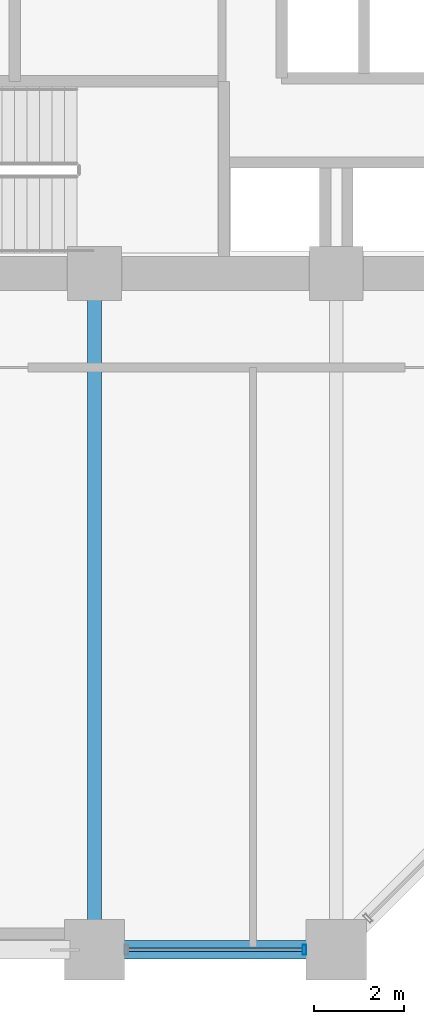
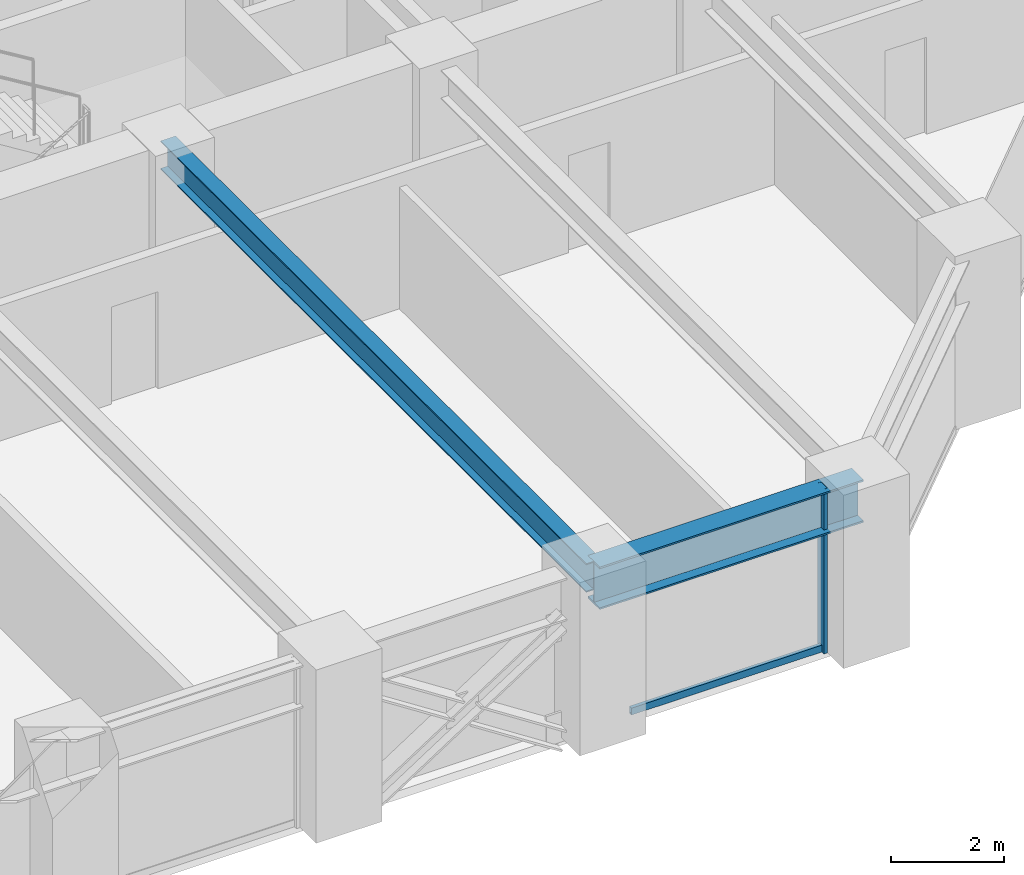
# One storey, part 5 of 25: 2 beams, 2 members, 1 element without a shape of its own.
"""IFC4 building model written with IfcOpenShell, lengths in metres."""

import ifcopenshell
import ifcopenshell.guid

model = None  # the IFC model being written
_history = None  # IfcOwnerHistory: only IFC2X3 demands one
_inside = {}  # id of a spatial element -> (the spatial element, [elements in it])
_under = {}  # id of a project, library or spatial element -> (it, [spatial elements below it])
_declared = {}  # id of a project -> (the project, [libraries it declares])
_typed = {}  # id of a type object -> (the type object, [elements of that type])
_made_of = {}  # id of a material, layer set ... -> (it, [elements and type objects made of it])


def new_model(schema):
    """Start an empty IFC model of exactly this schema.

    Asked for "IFC4X3", IfcOpenShell would pick the latest addendum, in which some entities
    have other attributes; the version numbers below select the first issue.
    IFC2X3 requires an IfcOwnerHistory on every rooted entity: one is made here for all.
    """
    global model, _history
    if schema == "IFC4X3":
        model = ifcopenshell.file(schema_version=(4, 3, 0, 0))
    else:
        model = ifcopenshell.file(schema=schema)
    _inside.clear()
    _under.clear()
    _declared.clear()
    _typed.clear()
    _made_of.clear()
    _history = None
    if model.schema == "IFC2X3":
        org = make("IfcOrganization", Name="unknown")
        user = make(
            "IfcPersonAndOrganization",
            ThePerson=make("IfcPerson", FamilyName="unknown"),
            TheOrganization=org,
        )
        app = make(
            "IfcApplication",
            ApplicationDeveloper=org,
            Version="unknown",
            ApplicationFullName="unknown",
            ApplicationIdentifier="unknown",
        )
        _history = make(
            "IfcOwnerHistory",
            OwningUser=user,
            OwningApplication=app,
            ChangeAction="ADDED",
            CreationDate=0,
        )
    return model


def make(cls, **values):
    """One entity of the class cls with the attributes given. An attribute that is None is left unset."""
    return model.create_entity(
        cls, **{name: value for name, value in values.items() if value is not None}
    )


def rooted(cls, **values):
    """An entity with a GlobalId (a new one), such as an element, a storey or a relation."""
    return make(cls, GlobalId=ifcopenshell.guid.new(), OwnerHistory=_history, **values)


def si_unit(unit_type, name, prefix=None):
    """IfcSIUnit, for example si_unit("LENGTHUNIT", "METRE", prefix="MILLI")."""
    return make("IfcSIUnit", UnitType=unit_type, Prefix=prefix, Name=name)


def assignment(units):
    """IfcUnitAssignment: the units of a project."""
    return None if units is None else make("IfcUnitAssignment", Units=units)


def point(xyz):
    """IfcCartesianPoint."""
    return None if xyz is None else make("IfcCartesianPoint", Coordinates=xyz)


def direction(xyz):
    """IfcDirection."""
    return None if xyz is None else make("IfcDirection", DirectionRatios=xyz)


def frame(location, z_axis=None, x_axis=None):
    """IfcAxis2Placement3D, a coordinate frame: its origin and axes. An axis left out is left unset."""
    return make(
        "IfcAxis2Placement3D",
        Location=point(location),
        Axis=direction(z_axis),
        RefDirection=direction(x_axis),
    )


def frame_2d(location, x_axis=None):
    """IfcAxis2Placement2D, a coordinate frame in the plane: its origin and x axis."""
    return make(
        "IfcAxis2Placement2D", Location=point(location), RefDirection=direction(x_axis)
    )


def origin():
    """The frame at (0, 0, 0) with its axes left unset."""
    return frame((0.0, 0.0, 0.0))


def origin_2d():
    """The frame at (0, 0) in the plane with its x axis left unset."""
    return frame_2d((0.0, 0.0))


def place(relative_to, where):
    """IfcLocalPlacement: puts the frame where relative to a parent placement (None: the world)."""
    return make(
        "IfcLocalPlacement", PlacementRelTo=relative_to, RelativePlacement=where
    )


def context(
    kind, dimensions, precision=None, world=None, true_north=None, identifier=None
):
    """IfcGeometricRepresentationContext, for example the 3D "Model" context."""
    return make(
        "IfcGeometricRepresentationContext",
        ContextIdentifier=identifier,
        ContextType=kind,
        CoordinateSpaceDimension=dimensions,
        Precision=precision,
        WorldCoordinateSystem=world,
        TrueNorth=true_north,
    )


def subcontext(parent, identifier, kind, view, scale=None):
    """IfcGeometricRepresentationSubContext, for example "Body" below "Model"."""
    return make(
        "IfcGeometricRepresentationSubContext",
        ContextIdentifier=identifier,
        ContextType=kind,
        ParentContext=parent,
        TargetScale=scale,
        TargetView=view,
    )


def project(units=None, contexts=None):
    """IfcProject with its units and contexts."""
    return rooted(
        "IfcProject",
        Name="project",
        RepresentationContexts=contexts,
        UnitsInContext=assignment(units),
    )


def spatial(cls, under=None, at=None, **own):
    """A site, building, storey or space (cls), placed at a placement, below another one or the project."""
    s = rooted(cls, ObjectPlacement=at, **own)
    if under is not None:
        _under.setdefault(under.id(), (under, []))[1].append(s)
    return s


def profile(cls, at=None, kind="AREA", **sizes):
    """A parametric profile (cls). Its sizes go by their IFC names, for example OverallWidth=200.0."""
    return make(cls, ProfileType=kind, Position=at, **sizes)


def hollow_rectangle(**sizes):
    """IfcRectangleHollowProfileDef."""
    return profile("IfcRectangleHollowProfileDef", **sizes)


def i_section(**sizes):
    """IfcIShapeProfileDef."""
    return profile("IfcIShapeProfileDef", **sizes)


def extrude(swept, where, along, depth):
    """IfcExtrudedAreaSolid: the profile swept, set in the frame where, extruded along a direction by depth."""
    return make(
        "IfcExtrudedAreaSolid",
        SweptArea=swept,
        Position=where,
        ExtrudedDirection=direction(along),
        Depth=depth,
    )


def shape(context_of_items, identifier, shape_type, items):
    """IfcShapeRepresentation: the items that make up one representation, for example the "Body"."""
    return make(
        "IfcShapeRepresentation",
        ContextOfItems=context_of_items,
        RepresentationIdentifier=identifier,
        RepresentationType=shape_type,
        Items=items,
    )


def material(Name=None, Category=None):
    """IfcMaterial."""
    return make("IfcMaterial", Name=Name, Category=Category)


def layer(
    of_material, thickness, ventilated=None, Name=None, Category=None, Priority=None
):
    """IfcMaterialLayer: one layer of a wall or slab, of a material (None: an air gap)."""
    return make(
        "IfcMaterialLayer",
        Material=of_material,
        LayerThickness=thickness,
        IsVentilated=ventilated,
        Name=Name,
        Category=Category,
        Priority=Priority,
    )


def layer_set(layers, Name=None):
    """IfcMaterialLayerSet."""
    return make("IfcMaterialLayerSet", MaterialLayers=layers, LayerSetName=Name)


def material_profile(
    of_material, cross_section, Name=None, Category=None, Priority=None
):
    """IfcMaterialProfile: a cross section and its material."""
    return make(
        "IfcMaterialProfile",
        Name=Name,
        Material=of_material,
        Profile=cross_section,
        Priority=Priority,
        Category=Category,
    )


def profile_set(profiles, Name=None, composite=None):
    """IfcMaterialProfileSet."""
    return make(
        "IfcMaterialProfileSet",
        Name=Name,
        MaterialProfiles=profiles,
        CompositeProfile=composite,
    )


def made_of(thing, what):
    """Note that an element or type object is made of a material, layer set ...; save() writes the relation."""
    if what is not None:
        _made_of.setdefault(what.id(), (what, []))[1].append(thing)
    return thing


def type_object(cls, material=None, **own):
    """A type object (cls), such as IfcWallType, which elements share."""
    return made_of(rooted(cls, **own), material)


def element(
    cls,
    number,
    at=None,
    inside=None,
    cuts=None,
    type_object=None,
    material=None,
    context=None,
    identifier="Body",
    shape_type=None,
    held_by="IfcProductDefinitionShape",
    body=None,
    shapes=None,
    **own,
):
    """One element of the class cls, such as IfcWall. Its Tag is "e" and its number.

    at: its placement. inside: the storey or other place that contains it. cuts: it is an
    opening in that element (IfcRelVoidsElement). A single representation is given by context,
    identifier, shape_type and body (its items); several are given by shapes. held_by: the class
    of the entity that holds the representations. save() writes the other relations.
    """
    e = rooted(cls, Tag="e%d" % number, ObjectPlacement=at, **own)
    if body is not None:
        shapes = [shape(context, identifier, shape_type, body)]
    if shapes is not None:
        e.Representation = make(held_by, Representations=shapes)
    if inside is not None:
        _inside.setdefault(inside.id(), (inside, []))[1].append(e)
    if cuts is not None:
        rooted(
            "IfcRelVoidsElement", RelatingBuildingElement=cuts, RelatedOpeningElement=e
        )
    if type_object is not None:
        _typed.setdefault(type_object.id(), (type_object, []))[1].append(e)
    return made_of(e, material)


def aggregate(whole, parts):
    """IfcRelAggregates: a whole, such as a stair, and the parts it consists of."""
    return rooted("IfcRelAggregates", RelatingObject=whole, RelatedObjects=parts)


def save(model, path):
    """Write the relations noted so far, then the file.

    IfcRelAggregates (storeys below a building ...), IfcRelContainedInSpatialStructure (elements
    in a storey), IfcRelDefinesByType, IfcRelAssociatesMaterial and IfcRelDeclares: one each for
    every whole, place, type object, material and project.
    """
    for whole, parts in _under.values():
        aggregate(whole, parts)
    for where, things in _inside.values():
        rooted(
            "IfcRelContainedInSpatialStructure",
            RelatedElements=things,
            RelatingStructure=where,
        )
    for kind, things in _typed.values():
        rooted("IfcRelDefinesByType", RelatedObjects=things, RelatingType=kind)
    for what, things in _made_of.values():
        rooted("IfcRelAssociatesMaterial", RelatedObjects=things, RelatingMaterial=what)
    for by, libraries in _declared.values():
        rooted("IfcRelDeclares", RelatingContext=by, RelatedDefinitions=libraries)
    model.write(path)


model = new_model("IFC4")

# Units and contexts
model_context = context("Model", 3, precision=1e-05, world=origin(), true_north=direction((0.0, 1.0)))
body_context = subcontext(model_context, "Body", "Model", "MODEL_VIEW")
ifc_project = project(units=[si_unit("LENGTHUNIT", "METRE"), si_unit("AREAUNIT", "SQUARE_METRE"), si_unit("VOLUMEUNIT", "CUBIC_METRE"), si_unit("PLANEANGLEUNIT", "RADIAN"), si_unit("MASSUNIT", "GRAM", prefix="KILO")], contexts=[model_context])

# Site, building, storey
site_placement = place(None, origin())
site = spatial("IfcSite", under=ifc_project, at=site_placement, CompositionType="ELEMENT")
building_placement = place(site_placement, origin())
building = spatial("IfcBuilding", under=site, at=building_placement, Name="Surkhivell Harbour Commons", CompositionType="ELEMENT")
storey_placement = place(building_placement, frame((0.0, 0.0, 48.75)))
storey = spatial("IfcBuildingStorey", under=building, at=storey_placement, Name="L12", CompositionType="ELEMENT", Elevation=48.75)

# Beams
ifc_material_1 = material(Name="Steel S355", Category="steel")
ifc_material_profile_1 = material_profile(ifc_material_1, i_section(OverallWidth=0.306884765625, OverallDepth=0.6201171875, WebThickness=0.01416015625, FlangeThickness=0.023681640625, at=origin_2d()), Name="UB610x305x179")
ifc_profile_set_1 = profile_set([ifc_material_profile_1], Name="Steel S355")
beam_type_1 = type_object("IfcBeamType", Name="BM-GRD-610A", PredefinedType="BEAM", material=ifc_profile_set_1)
beam_1_placement = place(storey_placement, frame((-5.39990234375, -25.89990234375, 3.260009765625), z_axis=(0.0, 1.0, 0.0), x_axis=(-1.0, 0.0, 0.0)))
element("IfcBeam", 1, at=beam_1_placement, inside=storey, type_object=beam_type_1, Name="L12 Floor Girder (-5.4,-25.9)", PredefinedType="BEAM", context=body_context, shape_type="SweptSolid", body=[
    extrude(i_section(OverallWidth=0.306884765625, OverallDepth=0.6201171875, WebThickness=0.01416015625, FlangeThickness=0.023681640625, at=origin_2d()), origin(), (0.0, 0.0, 1.0), 15.099853515625),
])
ifc_material_2 = material(Name="Steel S460", Category="steel")
ifc_material_profile_2 = material_profile(ifc_material_2, i_section(OverallWidth=0.419921875, OverallDepth=0.9208984375, WebThickness=0.021484375, FlangeThickness=0.03662109375, at=origin_2d()), Name="UB914x419x388")
ifc_profile_set_2 = profile_set([ifc_material_profile_2], Name="Steel S460")
beam_type_2 = type_object("IfcBeamType", Name="BM-SPN-914A", PredefinedType="SPANDREL", material=ifc_profile_set_2)
beam_2_placement = place(storey_placement, frame((-5.39990234375, -25.89990234375, 3.109619140625), z_axis=(1.0, 0.0, 0.0), x_axis=(0.0, 1.0, 0.0)))
element("IfcBeam", 2, at=beam_2_placement, inside=storey, type_object=beam_type_2, Name="L12 Tube Spandrel (-5.4,-25.9)", PredefinedType="SPANDREL", context=body_context, shape_type="SweptSolid", body=[
    extrude(i_section(OverallWidth=0.419921875, OverallDepth=0.9208984375, WebThickness=0.021484375, FlangeThickness=0.03662109375, at=origin_2d()), origin(), (0.0, 0.0, 1.0), 5.39990234375),
])

# Curtain wall, members
ifc_material_3 = material(Name="Anodised pale-metal aluminium and insulated glazing", Category="aluminium")
ifc_layer = layer(ifc_material_3, 0.219970703125)
ifc_layer_set = layer_set([ifc_layer], Name="Anodised pale-metal aluminium and insulated glazing")
curtain_wall_type = type_object("IfcCurtainWallType", Name="CW-SYS-Z1", PredefinedType="NOTDEFINED", material=ifc_layer_set)
curtain_wall_placement = place(storey_placement, origin())
curtain_wall = element("IfcCurtainWall", 3, at=curtain_wall_placement, inside=storey, type_object=curtain_wall_type, Name="L12 Curtain Wall CW-L12-E00S2", PredefinedType="NOTDEFINED")
ifc_material_4 = material(Name="Anodised pale-metal aluminium alloy 6063-T6", Category="aluminium")
ifc_material_profile_3 = material_profile(ifc_material_4, hollow_rectangle(XDim=0.074951171875, YDim=0.219970703125, WallThickness=0.00390625, at=origin_2d()), Name="ALU-MULL-75x220")
ifc_profile_set_3 = profile_set([ifc_material_profile_3], Name="Anodised pale-metal aluminium alloy 6063-T6")
member_type_1 = type_object("IfcMemberType", Name="CWM-220", PredefinedType="MULLION", material=ifc_profile_set_3)
member_1_placement = place(storey_placement, frame((-0.714599609375, -25.89990234375, 0.0), z_axis=(0.0, 0.0, 1.0), x_axis=(1.0, 0.0, 0.0)))
member_1 = element("IfcMember", 4, at=member_1_placement, type_object=member_type_1, Name="CW-Z1 mullion 2", PredefinedType="MULLION", context=body_context, shape_type="SweptSolid", body=[
    extrude(hollow_rectangle(XDim=0.074951171875, YDim=0.219970703125, WallThickness=0.00390625, at=origin_2d()), origin(), (0.0, 0.0, 1.0), 3.570068359375),
])
ifc_material_profile_4 = material_profile(ifc_material_4, hollow_rectangle(XDim=0.074951171875, YDim=0.14990234375, WallThickness=0.00341796875, at=origin_2d()), Name="ALU-TRAN-75x150")
ifc_profile_set_4 = profile_set([ifc_material_profile_4], Name="Anodised pale-metal aluminium alloy 6063-T6")
member_type_2 = type_object("IfcMemberType", Name="CWT-150", PredefinedType="USERDEFINED", material=ifc_profile_set_4)
member_2_placement = place(storey_placement, frame((-4.64794921875, -25.89990234375, 0.074951171875), z_axis=(1.0, 0.0, 0.0), x_axis=(0.0, 1.0, 0.0)))
member_2 = element("IfcMember", 5, at=member_2_placement, type_object=member_type_2, Name="CW-Z1 transom 1.1", ObjectType="TRANSOM", PredefinedType="USERDEFINED", context=body_context, shape_type="SweptSolid", body=[
    extrude(hollow_rectangle(XDim=0.074951171875, YDim=0.14990234375, WallThickness=0.00341796875, at=origin_2d()), origin(), (0.0, 0.0, 1.0), 3.89599609375),
])
aggregate(curtain_wall, [member_1, member_2])

save(model, "model.ifc")
